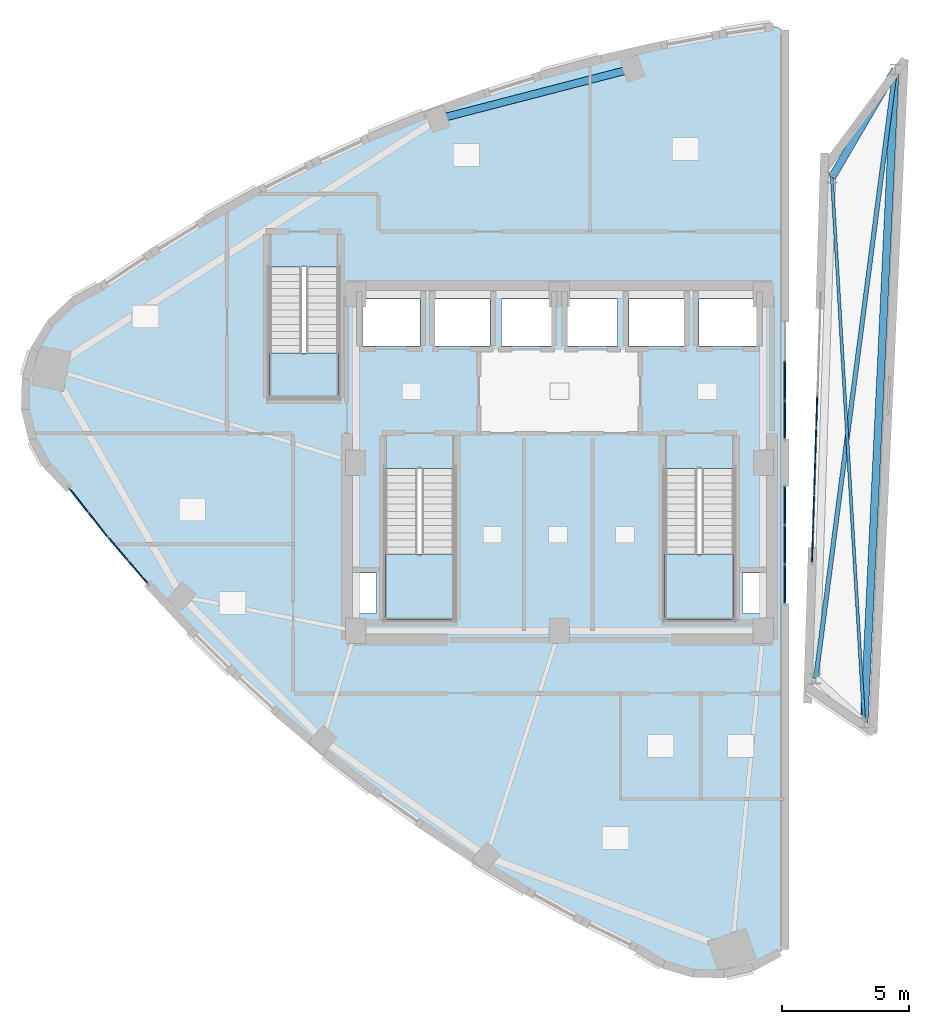
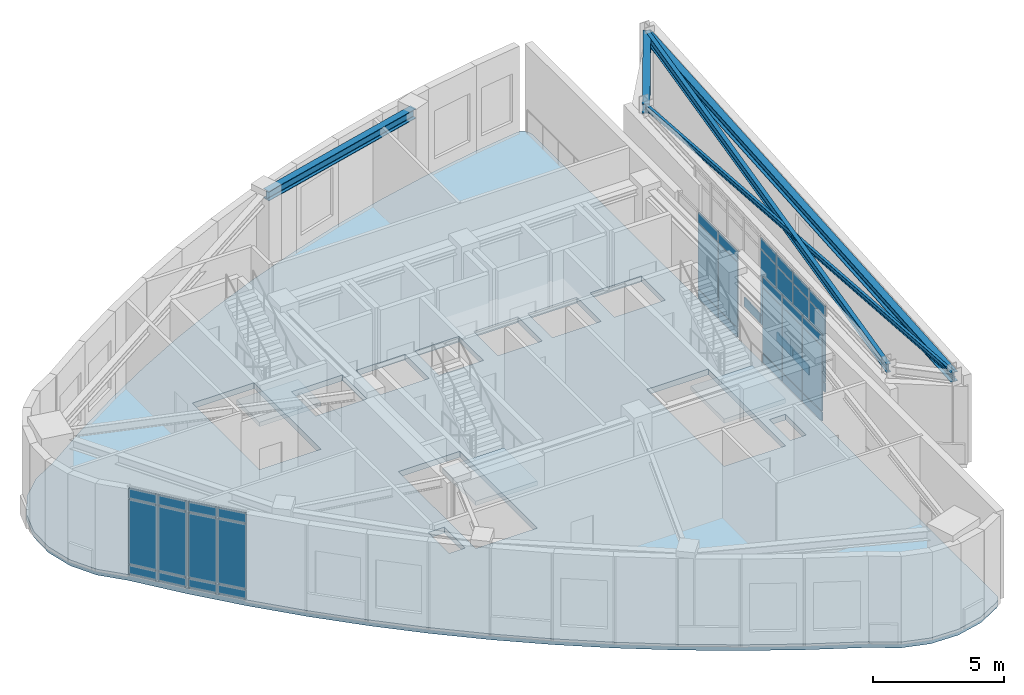
# One storey, part 12 of 19: 40 plates, 5 beams, 4 slabs, 8 elements without a shape of their own.
"""IFC4 building model written with IfcOpenShell, lengths in metres."""

from ifc_helpers import new_model, si_unit, direction, frame, origin, origin_2d, place, context, subcontext, project, spatial, polyline, rectangle, i_section, outline, extrude, material, layer, layer_set, material_profile, profile_set, type_object, element, aggregate, save


model = new_model("IFC4")

# Units and contexts
model_context = context("Model", 3, precision=1e-05, world=origin(), true_north=direction((0.0, 1.0)))
body_context = subcontext(model_context, "Body", "Model", "MODEL_VIEW")
ifc_project = project(units=[si_unit("LENGTHUNIT", "METRE"), si_unit("AREAUNIT", "SQUARE_METRE"), si_unit("VOLUMEUNIT", "CUBIC_METRE"), si_unit("PLANEANGLEUNIT", "RADIAN"), si_unit("MASSUNIT", "GRAM", prefix="KILO")], contexts=[model_context])

# Site, building, storey
site_placement = place(None, origin())
site = spatial("IfcSite", under=ifc_project, at=site_placement, CompositionType="ELEMENT")
building_placement = place(site_placement, origin())
building = spatial("IfcBuilding", under=site, at=building_placement, Name="Ndelora Gate Hotel", CompositionType="ELEMENT")
storey_placement = place(building_placement, frame((0.0, 0.0, 299.199951171875)))
storey = spatial("IfcBuildingStorey", under=building, at=storey_placement, Name="L74", CompositionType="ELEMENT", Elevation=299.199951171875)

# Beams
ifc_material_1 = material(Name="Steel S355", Category="steel")
ifc_material_profile_1 = material_profile(ifc_material_1, i_section(OverallWidth=0.1201171875, OverallDepth=0.239990234375, WebThickness=0.006103515625, FlangeThickness=0.009765625, FilletRadius=0.014892578125, at=origin_2d()), Name="IPE 240")
ifc_profile_set_1 = profile_set([ifc_material_profile_1], Name="Steel S355")
beam_type_1 = type_object("IfcBeamType", Name="BM-CRN-240", PredefinedType="SPANDREL", material=ifc_profile_set_1)
beam_1_placement = place(storey_placement, frame((11.956787109375, -10.212158203125, 4.0), z_axis=(-0.058984351472, 0.998258907439, 0.0), x_axis=(-0.998258907439, -0.058984351472, 0.0)))
element("IfcBeam", 1, at=beam_1_placement, inside=storey, type_object=beam_type_1, Name="L74 structural beam KB-1", PredefinedType="SPANDREL", context=body_context, shape_type="SweptSolid", body=[
    extrude(i_section(OverallWidth=0.1201171875, OverallDepth=0.239990234375, WebThickness=0.006103515625, FlangeThickness=0.009765625, FilletRadius=0.014892578125, at=origin_2d()), origin(), (0.0, 0.0, 1.0), 21.4404296875),
])
ifc_material_profile_2 = material_profile(ifc_material_1, i_section(OverallWidth=0.179931640625, OverallDepth=0.39990234375, WebThickness=0.008544921875, FlangeThickness=0.013427734375, FilletRadius=0.02099609375, at=origin_2d()), Name="IPE 400")
ifc_profile_set_2 = profile_set([ifc_material_profile_2], Name="Steel S355")
beam_type_2 = type_object("IfcBeamType", Name="BM-RAD-400", PredefinedType="BEAM", material=ifc_profile_set_2)
beam_2_placement = place(storey_placement, frame((10.0576171875, -8.478271484375, 3.920166015625), z_axis=(0.129384639667, 0.991594481135, 0.0), x_axis=(-0.991594481135, 0.129384639667, 0.0)))
element("IfcBeam", 2, at=beam_2_placement, inside=storey, type_object=beam_type_2, Name="L74 structural beam FB-5", PredefinedType="BEAM", context=body_context, shape_type="SweptSolid", body=[
    extrude(i_section(OverallWidth=0.179931640625, OverallDepth=0.39990234375, WebThickness=0.008544921875, FlangeThickness=0.013427734375, FilletRadius=0.02099609375, at=origin_2d()), origin(), (0.0, 0.0, 1.0), 24.109375),
])
ifc_material_profile_3 = material_profile(ifc_material_1, i_section(OverallWidth=0.300048828125, OverallDepth=0.449951171875, WebThickness=0.013916015625, FlangeThickness=0.02587890625, FilletRadius=0.027099609375, at=origin_2d()), Name="HEB 450")
ifc_profile_set_3 = profile_set([ifc_material_profile_3], Name="Steel S355")
beam_type_3 = type_object("IfcBeamType", Name="BM-RING-450", PredefinedType="SPANDREL", material=ifc_profile_set_3)
beam_3_placement = place(storey_placement, frame((2.865478515625, 15.461181640625, 3.89501953125), z_axis=(-0.968064499617, -0.250701265615, 0.0), x_axis=(0.250701265615, -0.968064499617, 0.0)))
element("IfcBeam", 3, at=beam_3_placement, inside=storey, type_object=beam_type_3, Name="L74 structural beam RB-5", PredefinedType="SPANDREL", context=body_context, shape_type="SweptSolid", body=[
    extrude(i_section(OverallWidth=0.300048828125, OverallDepth=0.449951171875, WebThickness=0.013916015625, FlangeThickness=0.02587890625, FilletRadius=0.027099609375, at=origin_2d()), origin(), (0.0, 0.0, 1.0), 7.891845703125),
])
beam_4_placement = place(storey_placement, frame((11.956787109375, -10.212158203125, 3.89501953125), z_axis=(0.047535325718, 0.998869557454, 0.0), x_axis=(-0.998869557454, 0.047535325718, 0.0)))
element("IfcBeam", 4, at=beam_4_placement, inside=storey, type_object=beam_type_3, Name="L74 structural beam RB-5", PredefinedType="SPANDREL", context=body_context, shape_type="SweptSolid", body=[
    extrude(i_section(OverallWidth=0.300048828125, OverallDepth=0.449951171875, WebThickness=0.013916015625, FlangeThickness=0.02587890625, FilletRadius=0.027099609375, at=origin_2d()), origin(), (0.0, 0.0, 1.0), 25.669677734375),
])
beam_5_placement = place(storey_placement, frame((13.177001953125, 15.428466796875, 3.89501953125), z_axis=(-0.505838113207, -0.862628427092, 0.0), x_axis=(0.862628427092, -0.505838113207, 0.0)))
element("IfcBeam", 5, at=beam_5_placement, inside=storey, type_object=beam_type_3, Name="L74 structural beam RB-5", PredefinedType="SPANDREL", context=body_context, shape_type="SweptSolid", body=[
    extrude(i_section(OverallWidth=0.300048828125, OverallDepth=0.449951171875, WebThickness=0.013916015625, FlangeThickness=0.02587890625, FilletRadius=0.027099609375, at=origin_2d()), origin(), (0.0, 0.0, 1.0), 4.912353515625),
])

# Curtain wall, plates
ifc_material_2 = material(Name="Bronze Anodised Unitised Aluminium and Low-E Glass", Category="aluminium")
ifc_layer_1 = layer(ifc_material_2, 0.199951171875)
ifc_layer_set_1 = layer_set([ifc_layer_1], Name="Bronze Anodised Unitised Aluminium and Low-E Glass")
curtain_wall_type_1 = type_object("IfcCurtainWallType", Name="CW-SYS-8", PredefinedType="NOTDEFINED", material=ifc_layer_set_1)
curtain_wall_1_placement = place(storey_placement, origin())
curtain_wall_1 = element("IfcCurtainWall", 6, at=curtain_wall_1_placement, inside=storey, type_object=curtain_wall_type_1, Name="L74 Split-Crown West Cleft Lantern Curtain Wall CW8-1", PredefinedType="NOTDEFINED")
ifc_material_3 = material(Name="Solar-Control Low-E Insulated Glazing", Category="glass")
ifc_layer_2 = layer(ifc_material_3, 0.048095703125)
ifc_layer_set_2 = layer_set([ifc_layer_2], Name="Solar-Control Low-E Insulated Glazing")
plate_type = type_object("IfcPlateType", Name="PL-CW-GLZ36", PredefinedType="CURTAIN_PANEL", material=ifc_layer_set_2)
plate_1_placement = place(storey_placement, frame((8.85009765625, -4.760009765625, 0.05419921875), z_axis=(0.0, 0.0, 1.0), x_axis=(0.0, 1.0, 0.0)))
plate_1 = element("IfcPlate", 7, at=plate_1_placement, type_object=plate_type, Name="CW8 panel 1.1", PredefinedType="CURTAIN_PANEL", context=body_context, shape_type="SweptSolid", body=[
    extrude(rectangle(XDim=1.471923828125, YDim=0.048095703125, at=origin_2d()), origin(), (0.0, 0.0, 1.0), 0.422119140625),
])
plate_2_placement = place(storey_placement, frame((8.85009765625, -4.760009765625, 0.524169921875), z_axis=(0.0, 0.0, 1.0), x_axis=(0.0, 1.0, 0.0)))
plate_2 = element("IfcPlate", 8, at=plate_2_placement, type_object=plate_type, Name="CW8 panel 1.2", PredefinedType="CURTAIN_PANEL", context=body_context, shape_type="SweptSolid", body=[
    extrude(rectangle(XDim=1.471923828125, YDim=0.048095703125, at=origin_2d()), origin(), (0.0, 0.0, 1.0), 3.02197265625),
])
plate_3_placement = place(storey_placement, frame((8.85009765625, -4.760009765625, 3.59423828125), z_axis=(0.0, 0.0, 1.0), x_axis=(0.0, 1.0, 0.0)))
plate_3 = element("IfcPlate", 9, at=plate_3_placement, type_object=plate_type, Name="CW8 panel 1.3", PredefinedType="CURTAIN_PANEL", context=body_context, shape_type="SweptSolid", body=[
    extrude(rectangle(XDim=1.471923828125, YDim=0.048095703125, at=origin_2d()), origin(), (0.0, 0.0, 1.0), 0.471923828125),
])
plate_4_placement = place(storey_placement, frame((8.85009765625, -3.22509765625, 0.05419921875), z_axis=(0.0, 0.0, 1.0), x_axis=(0.0, 1.0, 0.0)))
plate_4 = element("IfcPlate", 10, at=plate_4_placement, type_object=plate_type, Name="CW8 panel 2.1", PredefinedType="CURTAIN_PANEL", context=body_context, shape_type="SweptSolid", body=[
    extrude(rectangle(XDim=1.501953125, YDim=0.048095703125, at=origin_2d()), origin(), (0.0, 0.0, 1.0), 0.422119140625),
])
plate_5_placement = place(storey_placement, frame((8.85009765625, -3.22509765625, 0.524169921875), z_axis=(0.0, 0.0, 1.0), x_axis=(0.0, 1.0, 0.0)))
plate_5 = element("IfcPlate", 11, at=plate_5_placement, type_object=plate_type, Name="CW8 panel 2.2", PredefinedType="CURTAIN_PANEL", context=body_context, shape_type="SweptSolid", body=[
    extrude(rectangle(XDim=1.501953125, YDim=0.048095703125, at=origin_2d()), origin(), (0.0, 0.0, 1.0), 3.02197265625),
])
plate_6_placement = place(storey_placement, frame((8.85009765625, -3.22509765625, 3.59423828125), z_axis=(0.0, 0.0, 1.0), x_axis=(0.0, 1.0, 0.0)))
plate_6 = element("IfcPlate", 12, at=plate_6_placement, type_object=plate_type, Name="CW8 panel 2.3", PredefinedType="CURTAIN_PANEL", context=body_context, shape_type="SweptSolid", body=[
    extrude(rectangle(XDim=1.501953125, YDim=0.048095703125, at=origin_2d()), origin(), (0.0, 0.0, 1.0), 0.471923828125),
])
plate_7_placement = place(storey_placement, frame((8.85009765625, -1.68994140625, 0.05419921875), z_axis=(0.0, 0.0, 1.0), x_axis=(0.0, 1.0, 0.0)))
plate_7 = element("IfcPlate", 13, at=plate_7_placement, type_object=plate_type, Name="CW8 panel 3.1", PredefinedType="CURTAIN_PANEL", context=body_context, shape_type="SweptSolid", body=[
    extrude(rectangle(XDim=1.471923828125, YDim=0.048095703125, at=origin_2d()), origin(), (0.0, 0.0, 1.0), 0.422119140625),
])
plate_8_placement = place(storey_placement, frame((8.85009765625, -1.68994140625, 0.524169921875), z_axis=(0.0, 0.0, 1.0), x_axis=(0.0, 1.0, 0.0)))
plate_8 = element("IfcPlate", 14, at=plate_8_placement, type_object=plate_type, Name="CW8 panel 3.2", PredefinedType="CURTAIN_PANEL", context=body_context, shape_type="SweptSolid", body=[
    extrude(rectangle(XDim=1.471923828125, YDim=0.048095703125, at=origin_2d()), origin(), (0.0, 0.0, 1.0), 3.02197265625),
])
plate_9_placement = place(storey_placement, frame((8.85009765625, -1.68994140625, 3.59423828125), z_axis=(0.0, 0.0, 1.0), x_axis=(0.0, 1.0, 0.0)))
plate_9 = element("IfcPlate", 15, at=plate_9_placement, type_object=plate_type, Name="CW8 panel 3.3", PredefinedType="CURTAIN_PANEL", context=body_context, shape_type="SweptSolid", body=[
    extrude(rectangle(XDim=1.471923828125, YDim=0.048095703125, at=origin_2d()), origin(), (0.0, 0.0, 1.0), 0.471923828125),
])
aggregate(curtain_wall_1, [plate_1, plate_2, plate_3, plate_4, plate_5, plate_6, plate_7, plate_8, plate_9])

curtain_wall_2_placement = place(storey_placement, origin())
curtain_wall_2 = element("IfcCurtainWall", 16, at=curtain_wall_2_placement, inside=storey, type_object=curtain_wall_type_1, Name="L74 Split-Crown West Cleft Lantern Curtain Wall CW8-2", PredefinedType="NOTDEFINED")
plate_10_placement = place(storey_placement, frame((8.85009765625, 1.68994140625, 0.05419921875), z_axis=(0.0, 0.0, 1.0), x_axis=(0.0, 1.0, 0.0)))
plate_10 = element("IfcPlate", 17, at=plate_10_placement, type_object=plate_type, Name="CW8 panel 1.1", PredefinedType="CURTAIN_PANEL", context=body_context, shape_type="SweptSolid", body=[
    extrude(rectangle(XDim=1.471923828125, YDim=0.048095703125, at=origin_2d()), origin(), (0.0, 0.0, 1.0), 0.422119140625),
])
plate_11_placement = place(storey_placement, frame((8.85009765625, 1.68994140625, 0.524169921875), z_axis=(0.0, 0.0, 1.0), x_axis=(0.0, 1.0, 0.0)))
plate_11 = element("IfcPlate", 18, at=plate_11_placement, type_object=plate_type, Name="CW8 panel 1.2", PredefinedType="CURTAIN_PANEL", context=body_context, shape_type="SweptSolid", body=[
    extrude(rectangle(XDim=1.471923828125, YDim=0.048095703125, at=origin_2d()), origin(), (0.0, 0.0, 1.0), 3.02197265625),
])
plate_12_placement = place(storey_placement, frame((8.85009765625, 1.68994140625, 3.59423828125), z_axis=(0.0, 0.0, 1.0), x_axis=(0.0, 1.0, 0.0)))
plate_12 = element("IfcPlate", 19, at=plate_12_placement, type_object=plate_type, Name="CW8 panel 1.3", PredefinedType="CURTAIN_PANEL", context=body_context, shape_type="SweptSolid", body=[
    extrude(rectangle(XDim=1.471923828125, YDim=0.048095703125, at=origin_2d()), origin(), (0.0, 0.0, 1.0), 0.471923828125),
])
plate_13_placement = place(storey_placement, frame((8.85009765625, 3.22509765625, 0.05419921875), z_axis=(0.0, 0.0, 1.0), x_axis=(0.0, 1.0, 0.0)))
plate_13 = element("IfcPlate", 20, at=plate_13_placement, type_object=plate_type, Name="CW8 panel 2.1", PredefinedType="CURTAIN_PANEL", context=body_context, shape_type="SweptSolid", body=[
    extrude(rectangle(XDim=1.501953125, YDim=0.048095703125, at=origin_2d()), origin(), (0.0, 0.0, 1.0), 0.422119140625),
])
plate_14_placement = place(storey_placement, frame((8.85009765625, 3.22509765625, 0.524169921875), z_axis=(0.0, 0.0, 1.0), x_axis=(0.0, 1.0, 0.0)))
plate_14 = element("IfcPlate", 21, at=plate_14_placement, type_object=plate_type, Name="CW8 panel 2.2", PredefinedType="CURTAIN_PANEL", context=body_context, shape_type="SweptSolid", body=[
    extrude(rectangle(XDim=1.501953125, YDim=0.048095703125, at=origin_2d()), origin(), (0.0, 0.0, 1.0), 3.02197265625),
])
plate_15_placement = place(storey_placement, frame((8.85009765625, 3.22509765625, 3.59423828125), z_axis=(0.0, 0.0, 1.0), x_axis=(0.0, 1.0, 0.0)))
plate_15 = element("IfcPlate", 22, at=plate_15_placement, type_object=plate_type, Name="CW8 panel 2.3", PredefinedType="CURTAIN_PANEL", context=body_context, shape_type="SweptSolid", body=[
    extrude(rectangle(XDim=1.501953125, YDim=0.048095703125, at=origin_2d()), origin(), (0.0, 0.0, 1.0), 0.471923828125),
])
aggregate(curtain_wall_2, [plate_10, plate_11, plate_12, plate_13, plate_14, plate_15])

curtain_wall_3_placement = place(storey_placement, origin())
curtain_wall_3 = element("IfcCurtainWall", 23, at=curtain_wall_3_placement, inside=storey, type_object=curtain_wall_type_1, Name="L74 Split-Crown East Cleft Lantern Curtain Wall CW8", PredefinedType="NOTDEFINED")
plate_16_placement = place(storey_placement, frame((10.095458984375, 2.018310546875, 0.05419921875), z_axis=(0.0, 0.0, 1.0), x_axis=(-0.031131345484, -0.999515302198, 0.0)))
plate_16 = element("IfcPlate", 24, at=plate_16_placement, type_object=plate_type, Name="CW8 panel 4.1", PredefinedType="CURTAIN_PANEL", context=body_context, shape_type="SweptSolid", body=[
    extrude(rectangle(XDim=1.276611328125, YDim=0.048095703125, at=origin_2d()), origin(), (0.0, 0.0, 1.0), 0.422119140625),
])
plate_17_placement = place(storey_placement, frame((10.05419921875, 0.6943359375, 0.05419921875), z_axis=(0.0, 0.0, 1.0), x_axis=(-0.031131345484, -0.999515302198, 0.0)))
plate_17 = element("IfcPlate", 25, at=plate_17_placement, type_object=plate_type, Name="CW8 panel 5.1", PredefinedType="CURTAIN_PANEL", context=body_context, shape_type="SweptSolid", body=[
    extrude(rectangle(XDim=1.276611328125, YDim=0.048095703125, at=origin_2d()), origin(), (0.0, 0.0, 1.0), 0.422119140625),
])
plate_18_placement = place(storey_placement, frame((10.05419921875, 0.6943359375, 0.524169921875), z_axis=(0.0, 0.0, 1.0), x_axis=(-0.031131345484, -0.999515302198, 0.0)))
plate_18 = element("IfcPlate", 26, at=plate_18_placement, type_object=plate_type, Name="CW8 panel 5.2", PredefinedType="CURTAIN_PANEL", context=body_context, shape_type="SweptSolid", body=[
    extrude(rectangle(XDim=1.276611328125, YDim=0.048095703125, at=origin_2d()), origin(), (0.0, 0.0, 1.0), 3.02197265625),
])
plate_19_placement = place(storey_placement, frame((10.05419921875, 0.6943359375, 3.59423828125), z_axis=(0.0, 0.0, 1.0), x_axis=(-0.031131345484, -0.999515302198, 0.0)))
plate_19 = element("IfcPlate", 27, at=plate_19_placement, type_object=plate_type, Name="CW8 panel 5.3", PredefinedType="CURTAIN_PANEL", context=body_context, shape_type="SweptSolid", body=[
    extrude(rectangle(XDim=1.276611328125, YDim=0.048095703125, at=origin_2d()), origin(), (0.0, 0.0, 1.0), 0.471923828125),
])
plate_20_placement = place(storey_placement, frame((10.012939453125, -0.629638671875, 0.05419921875), z_axis=(0.0, 0.0, 1.0), x_axis=(-0.031131345484, -0.999515302198, 0.0)))
plate_20 = element("IfcPlate", 28, at=plate_20_placement, type_object=plate_type, Name="CW8 panel 6.1", PredefinedType="CURTAIN_PANEL", context=body_context, shape_type="SweptSolid", body=[
    extrude(rectangle(XDim=1.276611328125, YDim=0.048095703125, at=origin_2d()), origin(), (0.0, 0.0, 1.0), 0.422119140625),
])
plate_21_placement = place(storey_placement, frame((10.012939453125, -0.629638671875, 0.524169921875), z_axis=(0.0, 0.0, 1.0), x_axis=(-0.031131345484, -0.999515302198, 0.0)))
plate_21 = element("IfcPlate", 29, at=plate_21_placement, type_object=plate_type, Name="CW8 panel 6.2", PredefinedType="CURTAIN_PANEL", context=body_context, shape_type="SweptSolid", body=[
    extrude(rectangle(XDim=1.276611328125, YDim=0.048095703125, at=origin_2d()), origin(), (0.0, 0.0, 1.0), 3.02197265625),
])
plate_22_placement = place(storey_placement, frame((10.012939453125, -0.629638671875, 3.59423828125), z_axis=(0.0, 0.0, 1.0), x_axis=(-0.031131345484, -0.999515302198, 0.0)))
plate_22 = element("IfcPlate", 30, at=plate_22_placement, type_object=plate_type, Name="CW8 panel 6.3", PredefinedType="CURTAIN_PANEL", context=body_context, shape_type="SweptSolid", body=[
    extrude(rectangle(XDim=1.276611328125, YDim=0.048095703125, at=origin_2d()), origin(), (0.0, 0.0, 1.0), 0.471923828125),
])
plate_23_placement = place(storey_placement, frame((9.9716796875, -1.95361328125, 0.05419921875), z_axis=(0.0, 0.0, 1.0), x_axis=(-0.031131345484, -0.999515302198, 0.0)))
plate_23 = element("IfcPlate", 31, at=plate_23_placement, type_object=plate_type, Name="CW8 panel 7.1", PredefinedType="CURTAIN_PANEL", context=body_context, shape_type="SweptSolid", body=[
    extrude(rectangle(XDim=1.276611328125, YDim=0.048095703125, at=origin_2d()), origin(), (0.0, 0.0, 1.0), 0.422119140625),
])
plate_24_placement = place(storey_placement, frame((9.9716796875, -1.95361328125, 0.524169921875), z_axis=(0.0, 0.0, 1.0), x_axis=(-0.031131345484, -0.999515302198, 0.0)))
plate_24 = element("IfcPlate", 32, at=plate_24_placement, type_object=plate_type, Name="CW8 panel 7.2", PredefinedType="CURTAIN_PANEL", context=body_context, shape_type="SweptSolid", body=[
    extrude(rectangle(XDim=1.276611328125, YDim=0.048095703125, at=origin_2d()), origin(), (0.0, 0.0, 1.0), 3.02197265625),
])
plate_25_placement = place(storey_placement, frame((9.9716796875, -1.95361328125, 3.59423828125), z_axis=(0.0, 0.0, 1.0), x_axis=(-0.031131345484, -0.999515302198, 0.0)))
plate_25 = element("IfcPlate", 33, at=plate_25_placement, type_object=plate_type, Name="CW8 panel 7.3", PredefinedType="CURTAIN_PANEL", context=body_context, shape_type="SweptSolid", body=[
    extrude(rectangle(XDim=1.276611328125, YDim=0.048095703125, at=origin_2d()), origin(), (0.0, 0.0, 1.0), 0.471923828125),
])
plate_26_placement = place(storey_placement, frame((9.930908203125, -3.2626953125, 0.05419921875), z_axis=(0.0, 0.0, 1.0), x_axis=(-0.031131345484, -0.999515302198, 0.0)))
plate_26 = element("IfcPlate", 34, at=plate_26_placement, type_object=plate_type, Name="CW8 panel 8.1", PredefinedType="CURTAIN_PANEL", context=body_context, shape_type="SweptSolid", body=[
    extrude(rectangle(XDim=1.24658203125, YDim=0.048095703125, at=origin_2d()), origin(), (0.0, 0.0, 1.0), 0.422119140625),
])
plate_27_placement = place(storey_placement, frame((9.930908203125, -3.2626953125, 0.524169921875), z_axis=(0.0, 0.0, 1.0), x_axis=(-0.031131345484, -0.999515302198, 0.0)))
plate_27 = element("IfcPlate", 35, at=plate_27_placement, type_object=plate_type, Name="CW8 panel 8.2", PredefinedType="CURTAIN_PANEL", context=body_context, shape_type="SweptSolid", body=[
    extrude(rectangle(XDim=1.24658203125, YDim=0.048095703125, at=origin_2d()), origin(), (0.0, 0.0, 1.0), 3.02197265625),
])
plate_28_placement = place(storey_placement, frame((9.930908203125, -3.2626953125, 3.59423828125), z_axis=(0.0, 0.0, 1.0), x_axis=(-0.031131345484, -0.999515302198, 0.0)))
plate_28 = element("IfcPlate", 36, at=plate_28_placement, type_object=plate_type, Name="CW8 panel 8.3", PredefinedType="CURTAIN_PANEL", context=body_context, shape_type="SweptSolid", body=[
    extrude(rectangle(XDim=1.24658203125, YDim=0.048095703125, at=origin_2d()), origin(), (0.0, 0.0, 1.0), 0.471923828125),
])
aggregate(curtain_wall_3, [plate_16, plate_17, plate_18, plate_19, plate_20, plate_21, plate_22, plate_23, plate_24, plate_25, plate_26, plate_27, plate_28])

ifc_layer_3 = layer(ifc_material_2, 0.219970703125)
ifc_layer_set_3 = layer_set([ifc_layer_3], Name="Bronze Anodised Unitised Aluminium and Low-E Glass")
curtain_wall_type_2 = type_object("IfcCurtainWallType", Name="CW-SYS-7", PredefinedType="NOTDEFINED", material=ifc_layer_set_3)
curtain_wall_4_placement = place(storey_placement, origin())
curtain_wall_4 = element("IfcCurtainWall", 37, at=curtain_wall_4_placement, inside=storey, type_object=curtain_wall_type_2, Name="L74 West Peak Horizon Observatory Curtain Wall 1", PredefinedType="NOTDEFINED")
plate_29_placement = place(storey_placement, frame((-18.866943359375, -1.484619140625, 0.05908203125), z_axis=(0.0, 0.0, 1.0), x_axis=(0.62162196359, -0.783317390578, 0.0)))
plate_29 = element("IfcPlate", 38, at=plate_29_placement, type_object=plate_type, Name="CW7 panel 1.1", PredefinedType="CURTAIN_PANEL", context=body_context, shape_type="SweptSolid", body=[
    extrude(rectangle(XDim=1.16259765625, YDim=0.048095703125, at=origin_2d()), origin(), (0.0, 0.0, 1.0), 0.41455078125),
])
plate_30_placement = place(storey_placement, frame((-18.866943359375, -1.484619140625, 0.526611328125), z_axis=(0.0, 0.0, 1.0), x_axis=(0.62162196359, -0.783317390578, 0.0)))
plate_30 = element("IfcPlate", 39, at=plate_30_placement, type_object=plate_type, Name="CW7 panel 1.2", PredefinedType="CURTAIN_PANEL", context=body_context, shape_type="SweptSolid", body=[
    extrude(rectangle(XDim=1.16259765625, YDim=0.048095703125, at=origin_2d()), origin(), (0.0, 0.0, 1.0), 3.01708984375),
])
plate_31_placement = place(storey_placement, frame((-18.866943359375, -1.484619140625, 3.5966796875), z_axis=(0.0, 0.0, 1.0), x_axis=(0.62162196359, -0.783317390578, 0.0)))
plate_31 = element("IfcPlate", 40, at=plate_31_placement, type_object=plate_type, Name="CW7 panel 1.3", PredefinedType="CURTAIN_PANEL", context=body_context, shape_type="SweptSolid", body=[
    extrude(rectangle(XDim=1.16259765625, YDim=0.048095703125, at=origin_2d()), origin(), (0.0, 0.0, 1.0), 0.464599609375),
])
plate_32_placement = place(storey_placement, frame((-18.111328125, -2.436767578125, 0.05908203125), z_axis=(0.0, 0.0, 1.0), x_axis=(0.62162196359, -0.783317390578, 0.0)))
plate_32 = element("IfcPlate", 41, at=plate_32_placement, type_object=plate_type, Name="CW7 panel 2.1", PredefinedType="CURTAIN_PANEL", context=body_context, shape_type="SweptSolid", body=[
    extrude(rectangle(XDim=1.16259765625, YDim=0.048095703125, at=origin_2d()), origin(), (0.0, 0.0, 1.0), 0.41455078125),
])
plate_33_placement = place(storey_placement, frame((-18.111328125, -2.436767578125, 0.526611328125), z_axis=(0.0, 0.0, 1.0), x_axis=(0.62162196359, -0.783317390578, 0.0)))
plate_33 = element("IfcPlate", 42, at=plate_33_placement, type_object=plate_type, Name="CW7 panel 2.2", PredefinedType="CURTAIN_PANEL", context=body_context, shape_type="SweptSolid", body=[
    extrude(rectangle(XDim=1.16259765625, YDim=0.048095703125, at=origin_2d()), origin(), (0.0, 0.0, 1.0), 3.01708984375),
])
plate_34_placement = place(storey_placement, frame((-18.111328125, -2.436767578125, 3.5966796875), z_axis=(0.0, 0.0, 1.0), x_axis=(0.62162196359, -0.783317390578, 0.0)))
plate_34 = element("IfcPlate", 43, at=plate_34_placement, type_object=plate_type, Name="CW7 panel 2.3", PredefinedType="CURTAIN_PANEL", context=body_context, shape_type="SweptSolid", body=[
    extrude(rectangle(XDim=1.16259765625, YDim=0.048095703125, at=origin_2d()), origin(), (0.0, 0.0, 1.0), 0.464599609375),
])
aggregate(curtain_wall_4, [plate_29, plate_30, plate_31, plate_32, plate_33, plate_34])

curtain_wall_5_placement = place(storey_placement, origin())
curtain_wall_5 = element("IfcCurtainWall", 44, at=curtain_wall_5_placement, inside=storey, type_object=curtain_wall_type_2, Name="L74 West Peak Horizon Observatory Curtain Wall 2", PredefinedType="NOTDEFINED")
plate_35_placement = place(storey_placement, frame((-17.325927734375, -3.387939453125, 0.05908203125), z_axis=(0.0, 0.0, 1.0), x_axis=(0.651638229475, -0.75852990573, 0.0)))
plate_35 = element("IfcPlate", 45, at=plate_35_placement, type_object=plate_type, Name="CW7 panel 1.1", PredefinedType="CURTAIN_PANEL", context=body_context, shape_type="SweptSolid", body=[
    extrude(rectangle(XDim=1.14892578125, YDim=0.048095703125, at=origin_2d()), origin(), (0.0, 0.0, 1.0), 0.41455078125),
])
plate_36_placement = place(storey_placement, frame((-17.325927734375, -3.387939453125, 0.526611328125), z_axis=(0.0, 0.0, 1.0), x_axis=(0.651638229475, -0.75852990573, 0.0)))
plate_36 = element("IfcPlate", 46, at=plate_36_placement, type_object=plate_type, Name="CW7 panel 1.2", PredefinedType="CURTAIN_PANEL", context=body_context, shape_type="SweptSolid", body=[
    extrude(rectangle(XDim=1.14892578125, YDim=0.048095703125, at=origin_2d()), origin(), (0.0, 0.0, 1.0), 3.01708984375),
])
plate_37_placement = place(storey_placement, frame((-17.325927734375, -3.387939453125, 3.5966796875), z_axis=(0.0, 0.0, 1.0), x_axis=(0.651638229475, -0.75852990573, 0.0)))
plate_37 = element("IfcPlate", 47, at=plate_37_placement, type_object=plate_type, Name="CW7 panel 1.3", PredefinedType="CURTAIN_PANEL", context=body_context, shape_type="SweptSolid", body=[
    extrude(rectangle(XDim=1.14892578125, YDim=0.048095703125, at=origin_2d()), origin(), (0.0, 0.0, 1.0), 0.464599609375),
])
plate_38_placement = place(storey_placement, frame((-16.542724609375, -4.2998046875, 0.05908203125), z_axis=(0.0, 0.0, 1.0), x_axis=(0.651638229475, -0.75852990573, 0.0)))
plate_38 = element("IfcPlate", 48, at=plate_38_placement, type_object=plate_type, Name="CW7 panel 2.1", PredefinedType="CURTAIN_PANEL", context=body_context, shape_type="SweptSolid", body=[
    extrude(rectangle(XDim=1.14892578125, YDim=0.048095703125, at=origin_2d()), origin(), (0.0, 0.0, 1.0), 0.41455078125),
])
plate_39_placement = place(storey_placement, frame((-16.542724609375, -4.2998046875, 0.526611328125), z_axis=(0.0, 0.0, 1.0), x_axis=(0.651638229475, -0.75852990573, 0.0)))
plate_39 = element("IfcPlate", 49, at=plate_39_placement, type_object=plate_type, Name="CW7 panel 2.2", PredefinedType="CURTAIN_PANEL", context=body_context, shape_type="SweptSolid", body=[
    extrude(rectangle(XDim=1.14892578125, YDim=0.048095703125, at=origin_2d()), origin(), (0.0, 0.0, 1.0), 3.01708984375),
])
plate_40_placement = place(storey_placement, frame((-16.542724609375, -4.2998046875, 3.5966796875), z_axis=(0.0, 0.0, 1.0), x_axis=(0.651638229475, -0.75852990573, 0.0)))
plate_40 = element("IfcPlate", 50, at=plate_40_placement, type_object=plate_type, Name="CW7 panel 2.3", PredefinedType="CURTAIN_PANEL", context=body_context, shape_type="SweptSolid", body=[
    extrude(rectangle(XDim=1.14892578125, YDim=0.048095703125, at=origin_2d()), origin(), (0.0, 0.0, 1.0), 0.464599609375),
])
aggregate(curtain_wall_5, [plate_35, plate_36, plate_37, plate_38, plate_39, plate_40])

# Stair, slab
ifc_material_4 = material(Name="Precast concrete C40/50", Category="concrete")
stair_type = type_object("IfcStairType", Name="STR-DOG-CORE", PredefinedType="HALF_TURN_STAIR", material=ifc_material_4)
stair_1_placement = place(storey_placement, origin())
stair_1 = element("IfcStair", 51, at=stair_1_placement, inside=storey, type_object=stair_type, Name="L74 Protected Core Exit Stair ST4", PredefinedType="HALF_TURN_STAIR")
ifc_layer_4 = layer(ifc_material_4, 0.219970703125)
ifc_layer_set_4 = layer_set([ifc_layer_4], Name="Precast concrete C40/50")
slab_type_1 = type_object("IfcSlabType", Name="SL-LAND-220", PredefinedType="LANDING", material=ifc_layer_set_4)
slab_1_placement = place(storey_placement, frame((0.0, 0.0, 2.0)))
slab_1 = element("IfcSlab", 52, at=slab_1_placement, type_object=slab_type_1, Name="ST4 landing 1", PredefinedType="LANDING", context=body_context, shape_type="SweptSolid", body=[
    extrude(outline(polyline([(-6.85009765625, -3.590087890625), (-6.85009765625, -6.14990234375), (-4.1298828125, -6.14990234375), (-4.1298828125, -3.590087890625), (-6.85009765625, -3.590087890625)])), origin(), (0.0, 0.0, 1.0), 0.199951171875),
])
aggregate(stair_1, [slab_1])

stair_2_placement = place(storey_placement, origin())
stair_2 = element("IfcStair", 53, at=stair_2_placement, inside=storey, type_object=stair_type, Name="L74 Protected Core Exit Stair ST5", PredefinedType="HALF_TURN_STAIR")
slab_2_placement = place(storey_placement, frame((0.0, 0.0, 2.0)))
slab_2 = element("IfcSlab", 54, at=slab_2_placement, type_object=slab_type_1, Name="ST5 landing 1", PredefinedType="LANDING", context=body_context, shape_type="SweptSolid", body=[
    extrude(outline(polyline([(4.1298828125, -3.590087890625), (4.1298828125, -6.14990234375), (6.85009765625, -6.14990234375), (6.85009765625, -3.590087890625), (4.1298828125, -3.590087890625)])), origin(), (0.0, 0.0, 1.0), 0.199951171875),
])
aggregate(stair_2, [slab_2])

stair_3_placement = place(storey_placement, origin())
stair_3 = element("IfcStair", 55, at=stair_3_placement, inside=storey, type_object=stair_type, Name="L74 Crown Observation Exit Stair ST6", PredefinedType="HALF_TURN_STAIR")
slab_3_placement = place(storey_placement, frame((0.0, 0.0, 2.0)))
slab_3 = element("IfcSlab", 56, at=slab_3_placement, type_object=slab_type_1, Name="ST6 landing 1", PredefinedType="LANDING", context=body_context, shape_type="SweptSolid", body=[
    extrude(outline(polyline([(-11.389892578125, 4.31005859375), (-11.389892578125, 2.550048828125), (-8.669921875, 2.550048828125), (-8.669921875, 4.31005859375), (-11.389892578125, 4.31005859375)])), origin(), (0.0, 0.0, 1.0), 0.199951171875),
])
aggregate(stair_3, [slab_3])

# Slab
ifc_material_5 = material(Name="Concrete C40/50", Category="concrete")
ifc_layer_5 = layer(ifc_material_5, 0.27001953125)
ifc_layer_set_5 = layer_set([ifc_layer_5], Name="Concrete C40/50")
slab_type_2 = type_object("IfcSlabType", Name="SL-OBS-270", PredefinedType="FLOOR", material=ifc_layer_set_5)
slab_4_placement = place(storey_placement, frame((0.0, 0.0, -0.27001953125)))
element("IfcSlab", 57, at=slab_4_placement, inside=storey, type_object=slab_type_2, Name="L74 Structural Floor Slab", PredefinedType="FLOOR", context=body_context, shape_type="SweptSolid", body=[
    extrude(outline(polyline([(-18.02685546875, 6.884033203125), (-19.079833984375, 6.310302734375), (-19.14111328125, 6.26171875), (-19.94921875, 5.4921875), (-19.99609375, 5.42919921875), (-20.57763671875, 4.476806640625), (-20.606201171875, 4.40380859375), (-20.921630859375, 3.33349609375), (-20.930419921875, 3.255615234375), (-20.9580078125, 2.14013671875), (-20.9462890625, 2.0625), (-20.68408203125, 0.977783203125), (-20.653076171875, 0.906005859375), (-20.118896484375, -0.073974609375), (-20.0703125, -0.13525390625), (-19.25244140625, -0.998779296875), (-17.7255859375, -2.922607421875), (-16.142822265625, -4.764892578125), (-14.499267578125, -6.53173828125), (-12.794921875, -8.22314453125), (-11.029541015625, -9.839111328125), (-9.203369140625, -11.3798828125), (-7.31640625, -12.84521484375), (-5.3681640625, -14.235107421875), (-3.359130859375, -15.550048828125), (-1.2890625, -16.789794921875), (0.842041015625, -17.9541015625), (3.051513671875, -19.0537109375), (4.074951171875, -19.6787109375), (4.14794921875, -19.70751953125), (5.21826171875, -20.022705078125), (5.296142578125, -20.03173828125), (6.41162109375, -20.05908203125), (6.4892578125, -20.047607421875), (7.573974609375, -19.785400390625), (7.645751953125, -19.754150390625), (8.592041015625, -19.240234375), (8.657470703125, -19.197021484375), (8.709716796875, -19.149658203125), (8.769287109375, -19.08056640625), (8.8134765625, -19.0009765625), (8.8408203125, -18.9140625), (8.85009765625, -18.8232421875), (8.84765625, 16.70947265625), (8.82958984375, 16.798583984375), (8.793701171875, 16.8818359375), (8.741943359375, 16.95654296875), (8.676513671875, 17.019287109375), (8.599609375, 17.0673828125), (8.514404296875, 17.099365234375), (8.4248046875, 17.11328125), (8.333984375, 17.109375), (6.331787109375, 16.812255859375), (3.94482421875, 16.362548828125), (1.593017578125, 15.82275390625), (-0.723876953125, 15.192138671875), (-3.006103515625, 14.471435546875), (-5.25341796875, 13.66015625), (-7.466064453125, 12.7587890625), (-9.64404296875, 11.7666015625), (-11.787109375, 10.68408203125), (-13.895751953125, 9.51123046875), (-15.9697265625, 8.247802734375), (-18.02685546875, 6.884033203125)]), holes=[polyline([(-6.85009765625, -0.22998046875), (-6.85009765625, -6.14990234375), (-4.1298828125, -6.14990234375), (-4.1298828125, -0.22998046875), (-6.85009765625, -0.22998046875)]), polyline([(4.1298828125, -0.22998046875), (4.1298828125, -6.14990234375), (6.85009765625, -6.14990234375), (6.85009765625, -0.22998046875), (4.1298828125, -0.22998046875)]), polyline([(-11.389892578125, 7.669921875), (-11.389892578125, 2.550048828125), (-8.669921875, 2.550048828125), (-8.669921875, 7.669921875), (-11.389892578125, 7.669921875)]), polyline([(-7.72998046875, 4.570068359375), (-5.469970703125, 4.570068359375), (-5.469970703125, 6.429931640625), (-7.72998046875, 6.429931640625), (-7.72998046875, 4.570068359375)]), polyline([(5.469970703125, 4.570068359375), (7.72998046875, 4.570068359375), (7.72998046875, 6.429931640625), (5.469970703125, 6.429931640625), (5.469970703125, 4.570068359375)]), polyline([(-4.8798828125, 4.570068359375), (-2.719970703125, 4.570068359375), (-2.719970703125, 6.429931640625), (-4.8798828125, 6.429931640625), (-4.8798828125, 4.570068359375)]), polyline([(2.719970703125, 4.570068359375), (4.8798828125, 4.570068359375), (4.8798828125, 6.429931640625), (2.719970703125, 6.429931640625), (2.719970703125, 4.570068359375)]), polyline([(-2.280029296875, 4.570068359375), (-0.320068359375, 4.570068359375), (-0.320068359375, 6.429931640625), (-2.280029296875, 6.429931640625), (-2.280029296875, 4.570068359375)]), polyline([(0.320068359375, 4.570068359375), (2.280029296875, 4.570068359375), (2.280029296875, 6.429931640625), (0.320068359375, 6.429931640625), (0.320068359375, 4.570068359375)]), polyline([(-7.89990234375, -5.919921875), (-7.179931640625, -5.919921875), (-7.179931640625, -4.320068359375), (-7.89990234375, -4.320068359375), (-7.89990234375, -5.919921875)]), polyline([(7.179931640625, -5.919921875), (7.89990234375, -5.919921875), (7.89990234375, -4.320068359375), (7.179931640625, -4.320068359375), (7.179931640625, -5.919921875)])]), origin(), (0.0, 0.0, 1.0), 0.27001953125),
])

save(model, "model.ifc")
